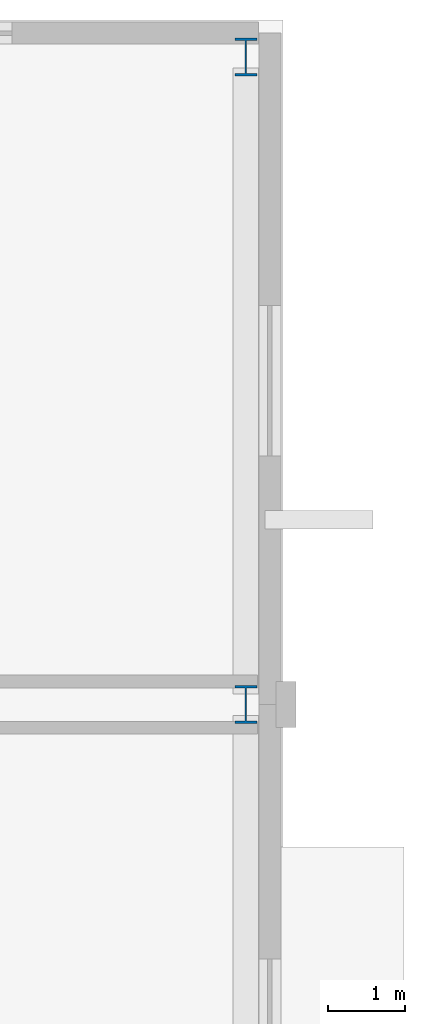
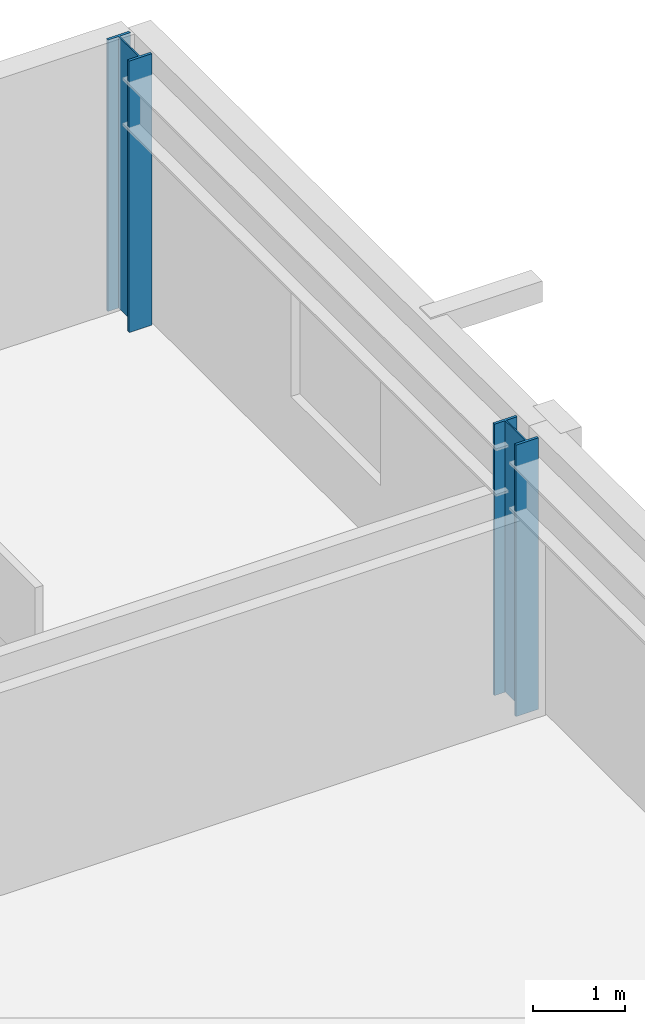
# One storey, part 3 of 19: 2 columns.
"""IFC4 building model written with IfcOpenShell, lengths in metres."""

from ifc_helpers import new_model, si_unit, direction, frame, origin, origin_2d, place, context, subcontext, project, spatial, i_section, extrude, material, material_profile, profile_set, type_object, element, save


model = new_model("IFC4")

# Units and contexts
model_context = context("Model", 3, precision=1e-05, world=origin(), true_north=direction((0.0, 1.0)))
body_context = subcontext(model_context, "Body", "Model", "MODEL_VIEW")
ifc_project = project(units=[si_unit("LENGTHUNIT", "METRE"), si_unit("AREAUNIT", "SQUARE_METRE"), si_unit("VOLUMEUNIT", "CUBIC_METRE"), si_unit("PLANEANGLEUNIT", "RADIAN"), si_unit("MASSUNIT", "GRAM", prefix="KILO")], contexts=[model_context])

# Site, building, storey
site_placement = place(None, origin())
site = spatial("IfcSite", under=ifc_project, at=site_placement, CompositionType="ELEMENT")
building_placement = place(site_placement, origin())
building = spatial("IfcBuilding", under=site, at=building_placement, Name="Sollismere Congress Hotel", CompositionType="ELEMENT")
storey_placement = place(building_placement, frame((0.0, 0.0, 44.60009765625)))
storey = spatial("IfcBuildingStorey", under=building, at=storey_placement, Name="L11", CompositionType="ELEMENT", Elevation=44.60009765625)

# Columns
ifc_material = material(Name="Steel ASTM A992 Grade 50", Category="steel")
ifc_material_profile = material_profile(ifc_material, i_section(OverallWidth=0.283935546875, OverallDepth=0.4951171875, WebThickness=0.0185546875, FlangeThickness=0.033447265625, at=origin_2d()), Name="W18X143")
ifc_profile_set = profile_set([ifc_material_profile], Name="Steel ASTM A992 Grade 50")
column_type = type_object("IfcColumnType", Name="COL-W18", PredefinedType="COLUMN", material=ifc_profile_set)
for number, where, z_axis, x_axis, name in (
    (1, (166.0, 41.60009765625, 0.0), (0.0, 0.0, 1.0), (1.0, 0.0, 0.0), "Column CL-L11-1020"),
    (2, (166.0, 50.0, 0.0), (0.0, 0.0, 1.0), (1.0, 0.0, 0.0), "Column CL-L11-1033"),
):
    element("IfcColumn", number, at=place(storey_placement, frame(where, z_axis=z_axis, x_axis=x_axis)), inside=storey, type_object=column_type, Name=name, PredefinedType="COLUMN", context=body_context, shape_type="SweptSolid", body=[
        extrude(i_section(OverallWidth=0.283935546875, OverallDepth=0.4951171875, WebThickness=0.0185546875, FlangeThickness=0.033447265625, at=origin_2d()), origin(), (0.0, 0.0, 1.0), 3.599853515625),
    ])

save(model, "model.ifc")
